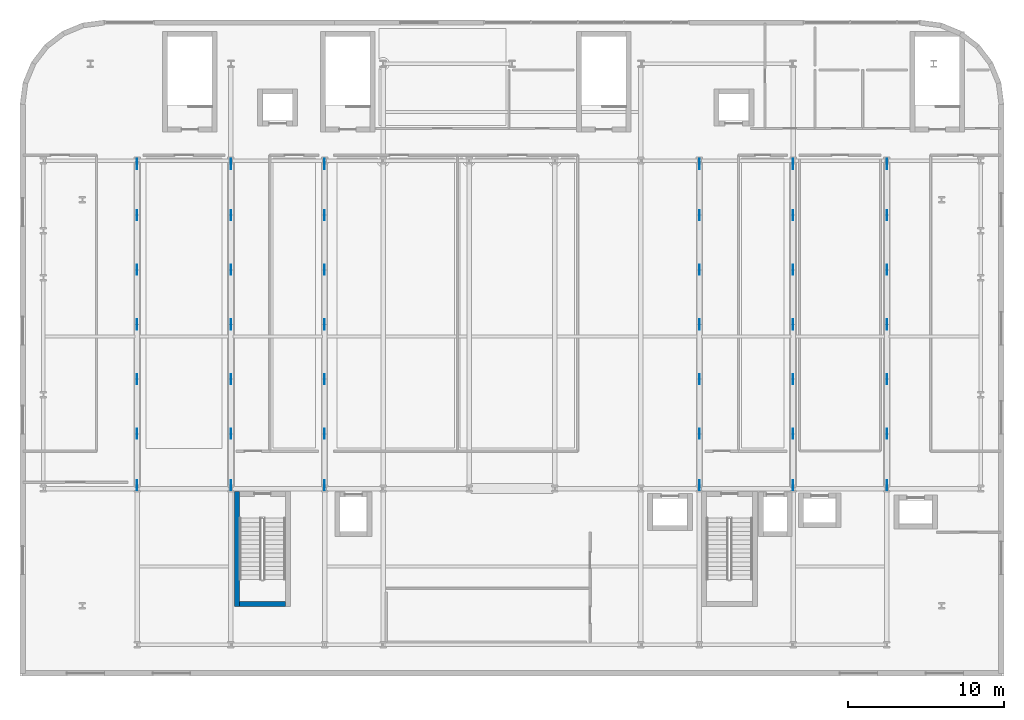
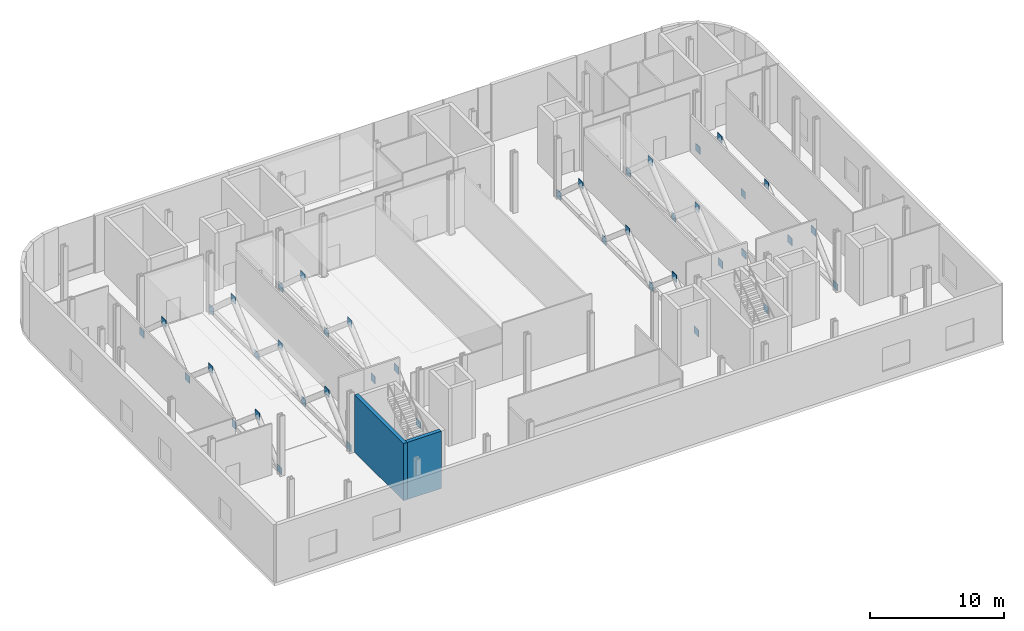
# One storey, part 10 of 17: 42 plates, 2 walls.
"""IFC4 building model written with IfcOpenShell, lengths in metres."""

from ifc_helpers import new_model, si_unit, direction, frame, frame_2d, origin, origin_2d, place, context, subcontext, project, spatial, rectangle, extrude, material, layer, layer_set, type_object, element, save


model = new_model("IFC4")

# Units and contexts
model_context = context("Model", 3, precision=1e-05, world=origin(), true_north=direction((0.0, 1.0)))
body_context = subcontext(model_context, "Body", "Model", "MODEL_VIEW")
ifc_project = project(units=[si_unit("LENGTHUNIT", "METRE"), si_unit("AREAUNIT", "SQUARE_METRE"), si_unit("VOLUMEUNIT", "CUBIC_METRE"), si_unit("PLANEANGLEUNIT", "RADIAN"), si_unit("MASSUNIT", "GRAM", prefix="KILO")], contexts=[model_context])

# Site, building, storey
site_placement = place(None, origin())
site = spatial("IfcSite", under=ifc_project, at=site_placement, CompositionType="ELEMENT")
building_placement = place(site_placement, origin())
building = spatial("IfcBuilding", under=site, at=building_placement, Name="Brevholm Reach", CompositionType="ELEMENT")
storey_placement = place(building_placement, frame((0.0, 0.0, 22.5)))
storey = spatial("IfcBuildingStorey", under=building, at=storey_placement, Name="L05", CompositionType="ELEMENT", Elevation=22.5)

# Plates
ifc_material_1 = material(Name="Structural Steel S460ML", Category="steel")
ifc_layer_1 = layer(ifc_material_1, 0.033935546875)
ifc_layer_set_1 = layer_set([ifc_layer_1], Name="Structural Steel S460ML")
plate_type = type_object("IfcPlateType", Name="PLT-GUS-34", PredefinedType="USERDEFINED", material=ifc_layer_set_1)
for number, where, z_axis, x_axis, name in (
    (1, (6.0, 10.219970703125, 0.025146484375), (0.0, 0.0, 1.0), (1.0, 0.0, 0.0), "L05 Transfer Truss Gusset Plate X6-10"),
    (2, (6.0, 13.5, 3.01513671875), (0.0, 0.0, 1.0), (1.0, 0.0, 0.0), "L05 Transfer Truss Gusset Plate X6-13"),
    (3, (6.0, 17.0, 0.025146484375), (0.0, 0.0, 1.0), (1.0, 0.0, 0.0), "L05 Transfer Truss Gusset Plate X6-17"),
    (4, (6.0, 20.5, 3.01513671875), (0.0, 0.0, 1.0), (1.0, 0.0, 0.0), "L05 Transfer Truss Gusset Plate X6-20"),
    (5, (6.0, 24.0, 0.025146484375), (0.0, 0.0, 1.0), (1.0, 0.0, 0.0), "L05 Transfer Truss Gusset Plate X6-24"),
    (6, (6.0, 27.5, 3.01513671875), (0.0, 0.0, 1.0), (1.0, 0.0, 0.0), "L05 Transfer Truss Gusset Plate X6-27"),
    (7, (6.0, 30.780029296875, 0.025146484375), (0.0, 0.0, 1.0), (1.0, 0.0, 0.0), "L05 Transfer Truss Gusset Plate X6-30"),
    (8, (12.0, 10.219970703125, 0.025146484375), (0.0, 0.0, 1.0), (1.0, 0.0, 0.0), "L05 Transfer Truss Gusset Plate X12-10"),
    (9, (12.0, 13.5, 3.01513671875), (0.0, 0.0, 1.0), (1.0, 0.0, 0.0), "L05 Transfer Truss Gusset Plate X12-13"),
    (10, (12.0, 17.0, 0.025146484375), (0.0, 0.0, 1.0), (1.0, 0.0, 0.0), "L05 Transfer Truss Gusset Plate X12-17"),
    (11, (12.0, 20.5, 3.01513671875), (0.0, 0.0, 1.0), (1.0, 0.0, 0.0), "L05 Transfer Truss Gusset Plate X12-20"),
    (12, (12.0, 24.0, 0.025146484375), (0.0, 0.0, 1.0), (1.0, 0.0, 0.0), "L05 Transfer Truss Gusset Plate X12-24"),
    (13, (12.0, 27.5, 3.01513671875), (0.0, 0.0, 1.0), (1.0, 0.0, 0.0), "L05 Transfer Truss Gusset Plate X12-27"),
    (14, (12.0, 30.780029296875, 0.025146484375), (0.0, 0.0, 1.0), (1.0, 0.0, 0.0), "L05 Transfer Truss Gusset Plate X12-30"),
    (15, (18.0, 10.219970703125, 0.025146484375), (0.0, 0.0, 1.0), (1.0, 0.0, 0.0), "L05 Transfer Truss Gusset Plate X18-10"),
    (16, (18.0, 13.5, 3.01513671875), (0.0, 0.0, 1.0), (1.0, 0.0, 0.0), "L05 Transfer Truss Gusset Plate X18-13"),
    (17, (18.0, 17.0, 0.025146484375), (0.0, 0.0, 1.0), (1.0, 0.0, 0.0), "L05 Transfer Truss Gusset Plate X18-17"),
    (18, (18.0, 20.5, 3.01513671875), (0.0, 0.0, 1.0), (1.0, 0.0, 0.0), "L05 Transfer Truss Gusset Plate X18-20"),
    (19, (18.0, 24.0, 0.025146484375), (0.0, 0.0, 1.0), (1.0, 0.0, 0.0), "L05 Transfer Truss Gusset Plate X18-24"),
    (20, (18.0, 27.5, 3.01513671875), (0.0, 0.0, 1.0), (1.0, 0.0, 0.0), "L05 Transfer Truss Gusset Plate X18-27"),
    (21, (18.0, 30.780029296875, 0.025146484375), (0.0, 0.0, 1.0), (1.0, 0.0, 0.0), "L05 Transfer Truss Gusset Plate X18-30"),
    (22, (42.0, 10.219970703125, 0.025146484375), (0.0, 0.0, 1.0), (1.0, 0.0, 0.0), "L05 Transfer Truss Gusset Plate X42-10"),
    (23, (42.0, 13.5, 3.01513671875), (0.0, 0.0, 1.0), (1.0, 0.0, 0.0), "L05 Transfer Truss Gusset Plate X42-13"),
    (24, (42.0, 17.0, 0.025146484375), (0.0, 0.0, 1.0), (1.0, 0.0, 0.0), "L05 Transfer Truss Gusset Plate X42-17"),
    (25, (42.0, 20.5, 3.01513671875), (0.0, 0.0, 1.0), (1.0, 0.0, 0.0), "L05 Transfer Truss Gusset Plate X42-20"),
    (26, (42.0, 24.0, 0.025146484375), (0.0, 0.0, 1.0), (1.0, 0.0, 0.0), "L05 Transfer Truss Gusset Plate X42-24"),
    (27, (42.0, 27.5, 3.01513671875), (0.0, 0.0, 1.0), (1.0, 0.0, 0.0), "L05 Transfer Truss Gusset Plate X42-27"),
    (28, (42.0, 30.780029296875, 0.025146484375), (0.0, 0.0, 1.0), (1.0, 0.0, 0.0), "L05 Transfer Truss Gusset Plate X42-30"),
    (29, (48.0, 10.219970703125, 0.025146484375), (0.0, 0.0, 1.0), (1.0, 0.0, 0.0), "L05 Transfer Truss Gusset Plate X48-10"),
    (30, (48.0, 13.5, 3.01513671875), (0.0, 0.0, 1.0), (1.0, 0.0, 0.0), "L05 Transfer Truss Gusset Plate X48-13"),
    (31, (48.0, 17.0, 0.025146484375), (0.0, 0.0, 1.0), (1.0, 0.0, 0.0), "L05 Transfer Truss Gusset Plate X48-17"),
    (32, (48.0, 20.5, 3.01513671875), (0.0, 0.0, 1.0), (1.0, 0.0, 0.0), "L05 Transfer Truss Gusset Plate X48-20"),
    (33, (48.0, 24.0, 0.025146484375), (0.0, 0.0, 1.0), (1.0, 0.0, 0.0), "L05 Transfer Truss Gusset Plate X48-24"),
    (34, (48.0, 27.5, 3.01513671875), (0.0, 0.0, 1.0), (1.0, 0.0, 0.0), "L05 Transfer Truss Gusset Plate X48-27"),
    (35, (48.0, 30.780029296875, 0.025146484375), (0.0, 0.0, 1.0), (1.0, 0.0, 0.0), "L05 Transfer Truss Gusset Plate X48-30"),
    (36, (54.0, 10.219970703125, 0.025146484375), (0.0, 0.0, 1.0), (1.0, 0.0, 0.0), "L05 Transfer Truss Gusset Plate X54-10"),
    (37, (54.0, 13.5, 3.01513671875), (0.0, 0.0, 1.0), (1.0, 0.0, 0.0), "L05 Transfer Truss Gusset Plate X54-13"),
    (38, (54.0, 17.0, 0.025146484375), (0.0, 0.0, 1.0), (1.0, 0.0, 0.0), "L05 Transfer Truss Gusset Plate X54-17"),
    (39, (54.0, 20.5, 3.01513671875), (0.0, 0.0, 1.0), (1.0, 0.0, 0.0), "L05 Transfer Truss Gusset Plate X54-20"),
    (40, (54.0, 24.0, 0.025146484375), (0.0, 0.0, 1.0), (1.0, 0.0, 0.0), "L05 Transfer Truss Gusset Plate X54-24"),
    (41, (54.0, 27.5, 3.01513671875), (0.0, 0.0, 1.0), (1.0, 0.0, 0.0), "L05 Transfer Truss Gusset Plate X54-27"),
    (42, (54.0, 30.780029296875, 0.025146484375), (0.0, 0.0, 1.0), (1.0, 0.0, 0.0), "L05 Transfer Truss Gusset Plate X54-30"),
):
    element("IfcPlate", number, at=place(storey_placement, frame(where, z_axis=z_axis, x_axis=x_axis)), inside=storey, type_object=plate_type, Name=name, ObjectType="GUSSET_PLATE", PredefinedType="USERDEFINED", context=body_context, shape_type="SweptSolid", body=[
        extrude(rectangle(XDim=0.033935546875, YDim=0.64990234375, at=origin_2d()), origin(), (0.0, 0.0, 1.0), 0.64990234375),
    ])

# Walls
ifc_material_2 = material(Name="Concrete C60/75", Category="concrete")
ifc_layer_2 = layer(ifc_material_2, 0.320068359375)
ifc_layer_set_2 = layer_set([ifc_layer_2], Name="Concrete C60/75")
wall_type = type_object("IfcWallType", Name="WAL-COR-320", PredefinedType="SHEAR", material=ifc_layer_set_2)
wall_1_placement = place(storey_placement, frame((12.389892578125, 2.4599609375, 0.0), z_axis=(0.0, 0.0, 1.0), x_axis=(0.0, 1.0, 0.0)))
element("IfcWall", 43, at=wall_1_placement, inside=storey, type_object=wall_type, Name="L05 Escape Stair ST-1 Core Wall W", PredefinedType="SHEAR", context=body_context, shape_type="SweptSolid", body=[
    extrude(rectangle(XDim=7.360107421875, YDim=0.320068359375, at=frame_2d((3.68017578125, 0.0))), origin(), (0.0, 0.0, 1.0), 5.22998046875),
])
wall_2_placement = place(storey_placement, frame((12.550048828125, 2.6201171875, 0.0), z_axis=(0.0, 0.0, 1.0), x_axis=(1.0, 0.0, 0.0)))
element("IfcWall", 44, at=wall_2_placement, inside=storey, type_object=wall_type, Name="L05 Escape Stair ST-1 Core Wall S", PredefinedType="SHEAR", context=body_context, shape_type="SweptSolid", body=[
    extrude(rectangle(XDim=2.949951171875, YDim=0.320068359375, at=frame_2d((1.47509765625, 0.0))), origin(), (0.0, 0.0, 1.0), 5.22998046875),
])

save(model, "model.ifc")
